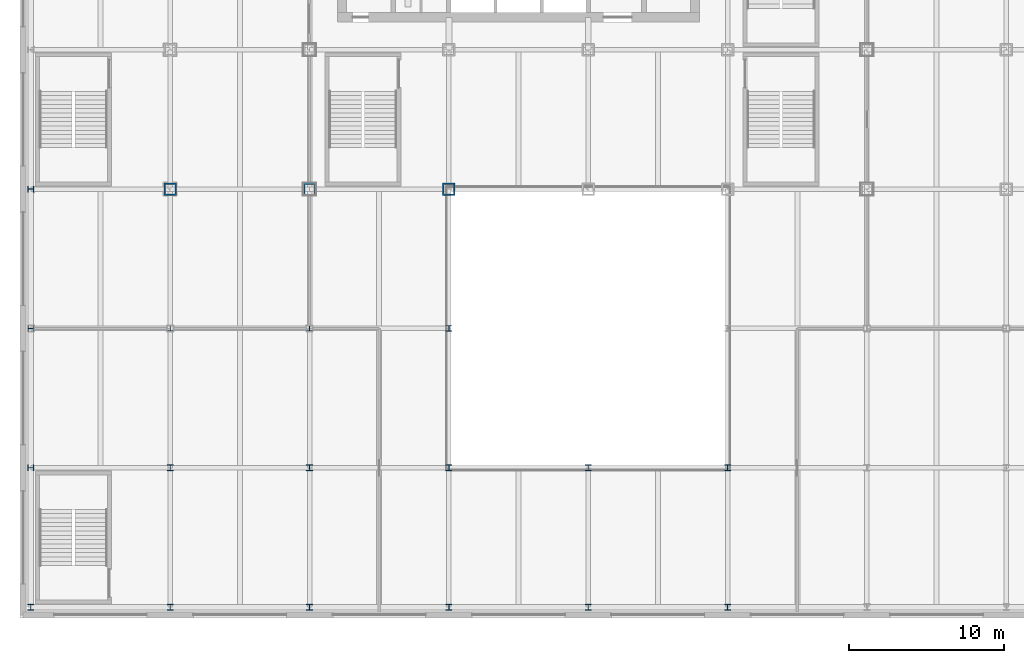
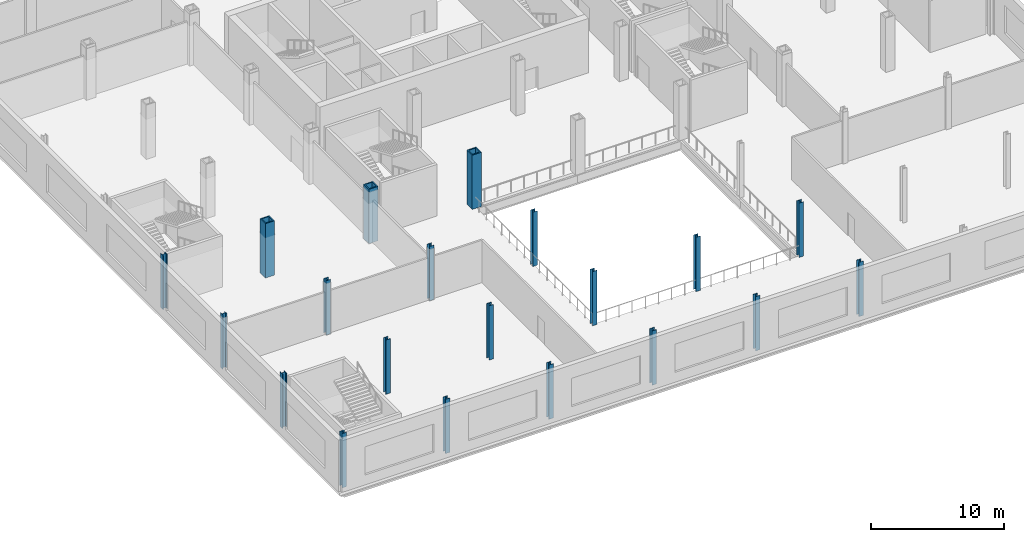
# One storey, part 1 of 28: 20 columns.
"""IFC4 building model written with IfcOpenShell, lengths in metres."""

import ifcopenshell
import ifcopenshell.guid

model = None  # the IFC model being written
_history = None  # IfcOwnerHistory: only IFC2X3 demands one
_inside = {}  # id of a spatial element -> (the spatial element, [elements in it])
_under = {}  # id of a project, library or spatial element -> (it, [spatial elements below it])
_declared = {}  # id of a project -> (the project, [libraries it declares])
_typed = {}  # id of a type object -> (the type object, [elements of that type])
_made_of = {}  # id of a material, layer set ... -> (it, [elements and type objects made of it])


def new_model(schema):
    """Start an empty IFC model of exactly this schema.

    Asked for "IFC4X3", IfcOpenShell would pick the latest addendum, in which some entities
    have other attributes; the version numbers below select the first issue.
    IFC2X3 requires an IfcOwnerHistory on every rooted entity: one is made here for all.
    """
    global model, _history
    if schema == "IFC4X3":
        model = ifcopenshell.file(schema_version=(4, 3, 0, 0))
    else:
        model = ifcopenshell.file(schema=schema)
    _inside.clear()
    _under.clear()
    _declared.clear()
    _typed.clear()
    _made_of.clear()
    _history = None
    if model.schema == "IFC2X3":
        org = make("IfcOrganization", Name="unknown")
        user = make(
            "IfcPersonAndOrganization",
            ThePerson=make("IfcPerson", FamilyName="unknown"),
            TheOrganization=org,
        )
        app = make(
            "IfcApplication",
            ApplicationDeveloper=org,
            Version="unknown",
            ApplicationFullName="unknown",
            ApplicationIdentifier="unknown",
        )
        _history = make(
            "IfcOwnerHistory",
            OwningUser=user,
            OwningApplication=app,
            ChangeAction="ADDED",
            CreationDate=0,
        )
    return model


def make(cls, **values):
    """One entity of the class cls with the attributes given. An attribute that is None is left unset."""
    return model.create_entity(
        cls, **{name: value for name, value in values.items() if value is not None}
    )


def rooted(cls, **values):
    """An entity with a GlobalId (a new one), such as an element, a storey or a relation."""
    return make(cls, GlobalId=ifcopenshell.guid.new(), OwnerHistory=_history, **values)


def si_unit(unit_type, name, prefix=None):
    """IfcSIUnit, for example si_unit("LENGTHUNIT", "METRE", prefix="MILLI")."""
    return make("IfcSIUnit", UnitType=unit_type, Prefix=prefix, Name=name)


def assignment(units):
    """IfcUnitAssignment: the units of a project."""
    return None if units is None else make("IfcUnitAssignment", Units=units)


def point(xyz):
    """IfcCartesianPoint."""
    return None if xyz is None else make("IfcCartesianPoint", Coordinates=xyz)


def direction(xyz):
    """IfcDirection."""
    return None if xyz is None else make("IfcDirection", DirectionRatios=xyz)


def frame(location, z_axis=None, x_axis=None):
    """IfcAxis2Placement3D, a coordinate frame: its origin and axes. An axis left out is left unset."""
    return make(
        "IfcAxis2Placement3D",
        Location=point(location),
        Axis=direction(z_axis),
        RefDirection=direction(x_axis),
    )


def frame_2d(location, x_axis=None):
    """IfcAxis2Placement2D, a coordinate frame in the plane: its origin and x axis."""
    return make(
        "IfcAxis2Placement2D", Location=point(location), RefDirection=direction(x_axis)
    )


def origin():
    """The frame at (0, 0, 0) with its axes left unset."""
    return frame((0.0, 0.0, 0.0))


def origin_2d():
    """The frame at (0, 0) in the plane with its x axis left unset."""
    return frame_2d((0.0, 0.0))


def place(relative_to, where):
    """IfcLocalPlacement: puts the frame where relative to a parent placement (None: the world)."""
    return make(
        "IfcLocalPlacement", PlacementRelTo=relative_to, RelativePlacement=where
    )


def context(
    kind, dimensions, precision=None, world=None, true_north=None, identifier=None
):
    """IfcGeometricRepresentationContext, for example the 3D "Model" context."""
    return make(
        "IfcGeometricRepresentationContext",
        ContextIdentifier=identifier,
        ContextType=kind,
        CoordinateSpaceDimension=dimensions,
        Precision=precision,
        WorldCoordinateSystem=world,
        TrueNorth=true_north,
    )


def subcontext(parent, identifier, kind, view, scale=None):
    """IfcGeometricRepresentationSubContext, for example "Body" below "Model"."""
    return make(
        "IfcGeometricRepresentationSubContext",
        ContextIdentifier=identifier,
        ContextType=kind,
        ParentContext=parent,
        TargetScale=scale,
        TargetView=view,
    )


def project(units=None, contexts=None):
    """IfcProject with its units and contexts."""
    return rooted(
        "IfcProject",
        Name="project",
        RepresentationContexts=contexts,
        UnitsInContext=assignment(units),
    )


def spatial(cls, under=None, at=None, **own):
    """A site, building, storey or space (cls), placed at a placement, below another one or the project."""
    s = rooted(cls, ObjectPlacement=at, **own)
    if under is not None:
        _under.setdefault(under.id(), (under, []))[1].append(s)
    return s


def profile(cls, at=None, kind="AREA", **sizes):
    """A parametric profile (cls). Its sizes go by their IFC names, for example OverallWidth=200.0."""
    return make(cls, ProfileType=kind, Position=at, **sizes)


def hollow_rectangle(**sizes):
    """IfcRectangleHollowProfileDef."""
    return profile("IfcRectangleHollowProfileDef", **sizes)


def i_section(**sizes):
    """IfcIShapeProfileDef."""
    return profile("IfcIShapeProfileDef", **sizes)


def extrude(swept, where, along, depth):
    """IfcExtrudedAreaSolid: the profile swept, set in the frame where, extruded along a direction by depth."""
    return make(
        "IfcExtrudedAreaSolid",
        SweptArea=swept,
        Position=where,
        ExtrudedDirection=direction(along),
        Depth=depth,
    )


def shape(context_of_items, identifier, shape_type, items):
    """IfcShapeRepresentation: the items that make up one representation, for example the "Body"."""
    return make(
        "IfcShapeRepresentation",
        ContextOfItems=context_of_items,
        RepresentationIdentifier=identifier,
        RepresentationType=shape_type,
        Items=items,
    )


def material(Name=None, Category=None):
    """IfcMaterial."""
    return make("IfcMaterial", Name=Name, Category=Category)


def material_profile(
    of_material, cross_section, Name=None, Category=None, Priority=None
):
    """IfcMaterialProfile: a cross section and its material."""
    return make(
        "IfcMaterialProfile",
        Name=Name,
        Material=of_material,
        Profile=cross_section,
        Priority=Priority,
        Category=Category,
    )


def profile_set(profiles, Name=None, composite=None):
    """IfcMaterialProfileSet."""
    return make(
        "IfcMaterialProfileSet",
        Name=Name,
        MaterialProfiles=profiles,
        CompositeProfile=composite,
    )


def made_of(thing, what):
    """Note that an element or type object is made of a material, layer set ...; save() writes the relation."""
    if what is not None:
        _made_of.setdefault(what.id(), (what, []))[1].append(thing)
    return thing


def type_object(cls, material=None, **own):
    """A type object (cls), such as IfcWallType, which elements share."""
    return made_of(rooted(cls, **own), material)


def element(
    cls,
    number,
    at=None,
    inside=None,
    cuts=None,
    type_object=None,
    material=None,
    context=None,
    identifier="Body",
    shape_type=None,
    held_by="IfcProductDefinitionShape",
    body=None,
    shapes=None,
    **own,
):
    """One element of the class cls, such as IfcWall. Its Tag is "e" and its number.

    at: its placement. inside: the storey or other place that contains it. cuts: it is an
    opening in that element (IfcRelVoidsElement). A single representation is given by context,
    identifier, shape_type and body (its items); several are given by shapes. held_by: the class
    of the entity that holds the representations. save() writes the other relations.
    """
    e = rooted(cls, Tag="e%d" % number, ObjectPlacement=at, **own)
    if body is not None:
        shapes = [shape(context, identifier, shape_type, body)]
    if shapes is not None:
        e.Representation = make(held_by, Representations=shapes)
    if inside is not None:
        _inside.setdefault(inside.id(), (inside, []))[1].append(e)
    if cuts is not None:
        rooted(
            "IfcRelVoidsElement", RelatingBuildingElement=cuts, RelatedOpeningElement=e
        )
    if type_object is not None:
        _typed.setdefault(type_object.id(), (type_object, []))[1].append(e)
    return made_of(e, material)


def aggregate(whole, parts):
    """IfcRelAggregates: a whole, such as a stair, and the parts it consists of."""
    return rooted("IfcRelAggregates", RelatingObject=whole, RelatedObjects=parts)


def save(model, path):
    """Write the relations noted so far, then the file.

    IfcRelAggregates (storeys below a building ...), IfcRelContainedInSpatialStructure (elements
    in a storey), IfcRelDefinesByType, IfcRelAssociatesMaterial and IfcRelDeclares: one each for
    every whole, place, type object, material and project.
    """
    for whole, parts in _under.values():
        aggregate(whole, parts)
    for where, things in _inside.values():
        rooted(
            "IfcRelContainedInSpatialStructure",
            RelatedElements=things,
            RelatingStructure=where,
        )
    for kind, things in _typed.values():
        rooted("IfcRelDefinesByType", RelatedObjects=things, RelatingType=kind)
    for what, things in _made_of.values():
        rooted("IfcRelAssociatesMaterial", RelatedObjects=things, RelatingMaterial=what)
    for by, libraries in _declared.values():
        rooted("IfcRelDeclares", RelatingContext=by, RelatedDefinitions=libraries)
    model.write(path)


model = new_model("IFC4")

# Units and contexts
model_context = context("Model", 3, precision=1e-05, world=origin(), true_north=direction((0.0, 1.0)))
body_context = subcontext(model_context, "Body", "Model", "MODEL_VIEW")
ifc_project = project(units=[si_unit("LENGTHUNIT", "METRE"), si_unit("AREAUNIT", "SQUARE_METRE"), si_unit("VOLUMEUNIT", "CUBIC_METRE"), si_unit("PLANEANGLEUNIT", "RADIAN"), si_unit("MASSUNIT", "GRAM", prefix="KILO")], contexts=[model_context])

# Site, building, storey
site_placement = place(None, origin())
site = spatial("IfcSite", under=ifc_project, at=site_placement, CompositionType="ELEMENT")
building_placement = place(site_placement, origin())
building = spatial("IfcBuilding", under=site, at=building_placement, Name="Loomwork Tower", CompositionType="ELEMENT")
storey_placement = place(building_placement, frame((0.0, 0.0, 6.0)))
storey = spatial("IfcBuildingStorey", under=building, at=storey_placement, Name="L01", CompositionType="ELEMENT", Elevation=6.0)

# Columns
ifc_material_1 = material(Name="Steel ASTM A572 Grade 50 plate", Category="steel")
ifc_material_profile_1 = material_profile(ifc_material_1, hollow_rectangle(XDim=0.800048828125, YDim=0.800048828125, WallThickness=0.10009765625, at=origin_2d()), Name="BOX800x100")
ifc_profile_set_1 = profile_set([ifc_material_profile_1], Name="Steel ASTM A572 Grade 50 plate")
column_type_1 = type_object("IfcColumnType", Name="EXOSKELETON PIER BOX800x100", PredefinedType="COLUMN", material=ifc_profile_set_1)
for number, where, z_axis, x_axis, name in (
    (1, (0.0, 0.0, 0.0), (0.0, 0.0, 1.0), (1.0, 0.0, 0.0), "Exoskeleton Pier D/2 L01"),
    (2, (9.0, 0.0, 0.0), (0.0, 0.0, 1.0), (1.0, 0.0, 0.0), "Exoskeleton Pier D/3 L01"),
    (3, (18.0, 0.0, 0.0), (0.0, 0.0, 1.0), (1.0, 0.0, 0.0), "Exoskeleton Pier D/4 L01"),
):
    element("IfcColumn", number, at=place(storey_placement, frame(where, z_axis=z_axis, x_axis=x_axis)), inside=storey, type_object=column_type_1, Name=name, PredefinedType="COLUMN", context=body_context, shape_type="SweptSolid", body=[
        extrude(hollow_rectangle(XDim=0.800048828125, YDim=0.800048828125, WallThickness=0.10009765625, at=origin_2d()), origin(), (0.0, 0.0, 1.0), 5.0),
    ])
ifc_material_2 = material(Name="Steel ASTM A992", Category="steel")
ifc_material_profile_2 = material_profile(ifc_material_2, i_section(OverallWidth=0.393798828125, OverallDepth=0.3759765625, WebThickness=0.017333984375, FlangeThickness=0.027587890625, at=origin_2d()), Name="W14x145")
ifc_profile_set_2 = profile_set([ifc_material_profile_2], Name="Steel ASTM A992")
column_type_2 = type_object("IfcColumnType", Name="PODIUM COLUMN W14x145", PredefinedType="COLUMN", material=ifc_profile_set_2)
for number, where, z_axis, x_axis, name in (
    (4, (-9.0, -27.0, 0.0), (0.0, 0.0, 1.0), (1.0, 0.0, 0.0), "Podium Column A/1 L01"),
    (5, (-9.0, -18.0, 0.0), (0.0, 0.0, 1.0), (0.0, 1.0, 0.0), "Podium Column B/1 L01"),
    (6, (-9.0, -9.0, 0.0), (0.0, 0.0, 1.0), (0.0, 1.0, 0.0), "Podium Column C/1 L01"),
    (7, (-9.0, 0.0, 0.0), (0.0, 0.0, 1.0), (0.0, 1.0, 0.0), "Podium Column D/1 L01"),
    (8, (0.0, -27.0, 0.0), (0.0, 0.0, 1.0), (1.0, 0.0, 0.0), "Podium Column A/2 L01"),
    (9, (0.0, -18.0, 0.0), (0.0, 0.0, 1.0), (1.0, 0.0, 0.0), "Podium Column B/2 L01"),
    (10, (0.0, -9.0, 0.0), (0.0, 0.0, 1.0), (1.0, 0.0, 0.0), "Podium Column C/2 L01"),
    (11, (9.0, -27.0, 0.0), (0.0, 0.0, 1.0), (1.0, 0.0, 0.0), "Podium Column A/3 L01"),
    (12, (9.0, -18.0, 0.0), (0.0, 0.0, 1.0), (1.0, 0.0, 0.0), "Podium Column B/3 L01"),
    (13, (9.0, -9.0, 0.0), (0.0, 0.0, 1.0), (1.0, 0.0, 0.0), "Podium Column C/3 L01"),
    (14, (18.0, -27.0, 0.0), (0.0, 0.0, 1.0), (1.0, 0.0, 0.0), "Podium Column A/4 L01"),
    (15, (18.0, -18.0, 0.0), (0.0, 0.0, 1.0), (1.0, 0.0, 0.0), "Podium Column B/4 L01"),
    (16, (18.0, -9.0, 0.0), (0.0, 0.0, 1.0), (1.0, 0.0, 0.0), "Podium Column C/4 L01"),
    (17, (27.0, -27.0, 0.0), (0.0, 0.0, 1.0), (1.0, 0.0, 0.0), "Podium Column A/5 L01"),
    (18, (27.0, -18.0, 0.0), (0.0, 0.0, 1.0), (1.0, 0.0, 0.0), "Podium Column B/5 L01"),
    (19, (36.0, -27.0, 0.0), (0.0, 0.0, 1.0), (1.0, 0.0, 0.0), "Podium Column A/6 L01"),
    (20, (36.0, -18.0, 0.0), (0.0, 0.0, 1.0), (1.0, 0.0, 0.0), "Podium Column B/6 L01"),
):
    element("IfcColumn", number, at=place(storey_placement, frame(where, z_axis=z_axis, x_axis=x_axis)), inside=storey, type_object=column_type_2, Name=name, PredefinedType="COLUMN", context=body_context, shape_type="SweptSolid", body=[
        extrude(i_section(OverallWidth=0.393798828125, OverallDepth=0.3759765625, WebThickness=0.017333984375, FlangeThickness=0.027587890625, at=origin_2d()), origin(), (0.0, 0.0, 1.0), 5.0),
    ])

save(model, "model.ifc")
